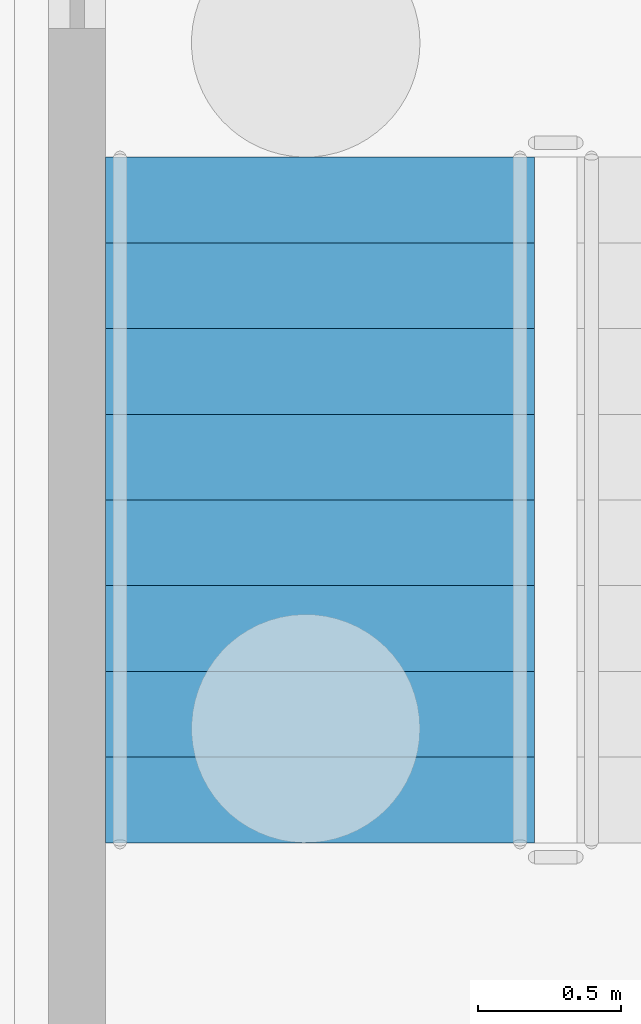
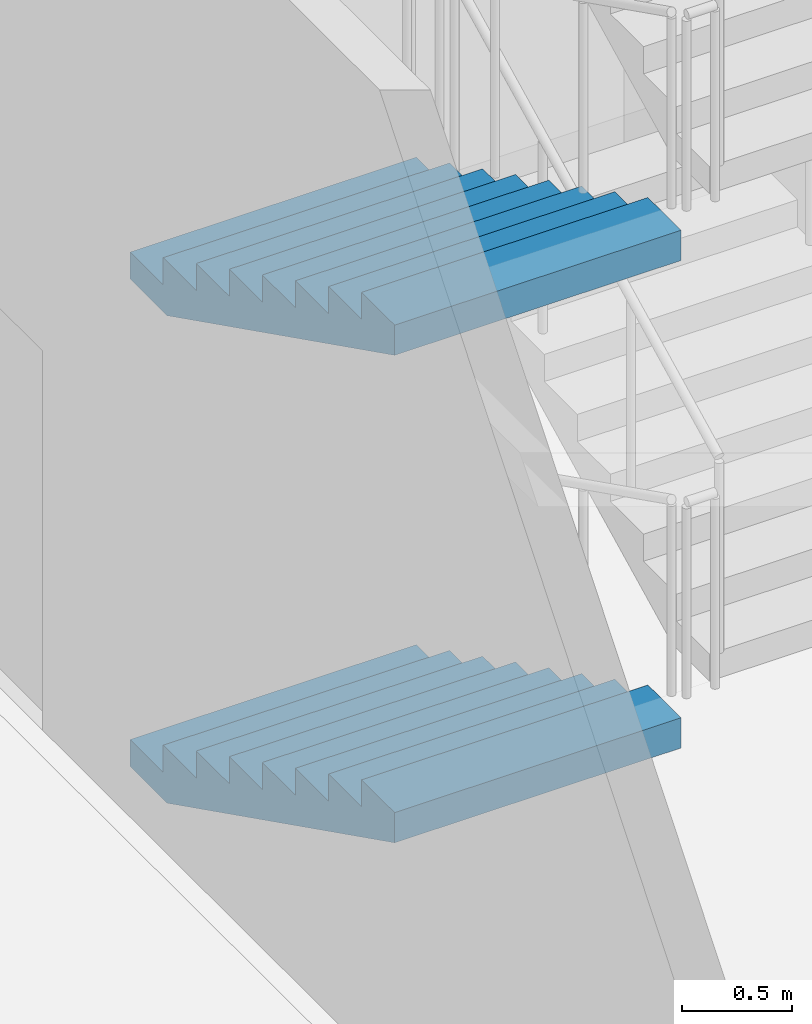
# One storey, part 96 of 129: 2 stair flights, 1 element without a shape of its own.
"""IFC4 building model written with IfcOpenShell, lengths in metres."""

from ifc_helpers import new_model, si_unit, direction, frame, origin, place, context, subcontext, project, spatial, faceted_brep, material, type_object, element, aggregate, save


model = new_model("IFC4")

# Units and contexts
model_context = context("Model", 3, precision=1e-05, world=origin(), true_north=direction((0.0, 1.0)))
body_context = subcontext(model_context, "Body", "Model", "MODEL_VIEW")
ifc_project = project(units=[si_unit("LENGTHUNIT", "METRE"), si_unit("AREAUNIT", "SQUARE_METRE"), si_unit("VOLUMEUNIT", "CUBIC_METRE"), si_unit("PLANEANGLEUNIT", "RADIAN"), si_unit("MASSUNIT", "GRAM", prefix="KILO")], contexts=[model_context])

# Site, building, storey
site_placement = place(None, origin())
site = spatial("IfcSite", under=ifc_project, at=site_placement, CompositionType="ELEMENT")
building_placement = place(site_placement, origin())
building = spatial("IfcBuilding", under=site, at=building_placement, Name="Kiln Court Media Centre", CompositionType="ELEMENT")
storey_placement = place(building_placement, origin())
storey = spatial("IfcBuildingStorey", under=building, at=storey_placement, Name="L00", CompositionType="ELEMENT", Elevation=0.0)

# Stair, stair flights
ifc_material_1 = material(Name="Concrete C40/50", Category="concrete")
stair_type = type_object("IfcStairType", Name="Concrete C40/50 dog-leg stair 1500 wide, 150 riser", PredefinedType="HALF_TURN_STAIR", material=ifc_material_1)
stair_placement = place(storey_placement, origin())
stair = element("IfcStair", 1, at=stair_placement, inside=storey, type_object=stair_type, Name="ST-17 L00", PredefinedType="HALF_TURN_STAIR")
ifc_material_2 = material(Name="Concrete C40/50", Category="concrete")
stair_flight_type = type_object("IfcStairFlightType", Name="Concrete C40/50 stair flight 1500 wide, 150 riser, 300 going", PredefinedType="STRAIGHT", material=ifc_material_2)
stair_flight_1_placement = place(storey_placement, frame((164.75, 22.89990234375, 0.0), z_axis=(0.0, 0.0, 1.0), x_axis=(0.0, -1.0, 0.0)))
stair_flight_1 = element("IfcStairFlight", 2, at=stair_flight_1_placement, type_object=stair_flight_type, Name="L00-ST-5016 flight 5064", NumberOfRisers=9, NumberOfTreads=8, PredefinedType="STRAIGHT", RiserHeight=0.15, TreadLength=0.3, context=body_context, shape_type="Brep", body=[
    faceted_brep([(0.335205078125, -0.75, 0.0), (2.39990234375, -0.75, 1.032470703125), (2.39990234375, -0.75, 1.199951171875), (2.10009765625, -0.75, 1.199951171875), (2.10009765625, -0.75, 1.050048828125), (1.800048828125, -0.75, 1.050048828125), (1.800048828125, -0.75, 0.89990234375), (1.5, -0.75, 0.89990234375), (1.5, -0.75, 0.75), (1.199951171875, -0.75, 0.75), (1.199951171875, -0.75, 0.60009765625), (0.89990234375, -0.75, 0.60009765625), (0.89990234375, -0.75, 0.449951171875), (0.60009765625, -0.75, 0.449951171875), (0.60009765625, -0.75, 0.300048828125), (0.300048828125, -0.75, 0.300048828125), (0.300048828125, -0.75, 0.14990234375), (0.0, -0.75, 0.14990234375), (0.0, -0.75, 0.0), (0.0, 0.75, 0.0), (0.0, 0.75, 0.14990234375), (0.300048828125, 0.75, 0.14990234375), (0.300048828125, 0.75, 0.300048828125), (0.60009765625, 0.75, 0.300048828125), (0.60009765625, 0.75, 0.449951171875), (0.89990234375, 0.75, 0.449951171875), (0.89990234375, 0.75, 0.60009765625), (1.199951171875, 0.75, 0.60009765625), (1.199951171875, 0.75, 0.75), (1.5, 0.75, 0.75), (1.5, 0.75, 0.89990234375), (1.800048828125, 0.75, 0.89990234375), (1.800048828125, 0.75, 1.050048828125), (2.10009765625, 0.75, 1.050048828125), (2.10009765625, 0.75, 1.199951171875), (2.39990234375, 0.75, 1.199951171875), (2.39990234375, 0.75, 1.032470703125), (0.335205078125, 0.75, 0.0), (2.39990234375, 0.10009765625, 1.032470703125), (0.335205078125, 0.10009765625, 0.0), (2.39990234375, 0.080078125, 1.032470703125), (0.335205078125, 0.080078125, 0.0), (2.39990234375, 0.06005859375, 1.032470703125), (0.335205078125, 0.06005859375, 0.0), (2.39990234375, 0.0400390625, 1.032470703125), (0.335205078125, 0.0400390625, 0.0), (2.39990234375, 0.02001953125, 1.032470703125), (0.335205078125, 0.02001953125, 0.0), (2.39990234375, 0.0, 1.032470703125), (0.335205078125, 0.0, 0.0), (2.39990234375, -0.02001953125, 1.032470703125), (0.335205078125, -0.02001953125, 0.0), (2.39990234375, -0.0400390625, 1.032470703125), (0.335205078125, -0.0400390625, 0.0), (2.39990234375, -0.06005859375, 1.032470703125), (0.335205078125, -0.06005859375, 0.0), (2.39990234375, -0.080078125, 1.032470703125), (0.335205078125, -0.080078125, 0.0), (2.39990234375, -0.10009765625, 1.032470703125), (0.335205078125, -0.10009765625, 0.0), (2.39990234375, 0.10009765625, 1.199951171875), (2.39990234375, 0.080078125, 1.199951171875), (2.39990234375, 0.06005859375, 1.199951171875), (2.39990234375, 0.0400390625, 1.199951171875), (2.39990234375, 0.02001953125, 1.199951171875), (2.39990234375, 0.0, 1.199951171875), (2.39990234375, -0.02001953125, 1.199951171875), (2.39990234375, -0.0400390625, 1.199951171875), (2.39990234375, -0.06005859375, 1.199951171875), (2.39990234375, -0.080078125, 1.199951171875), (2.39990234375, -0.10009765625, 1.199951171875), (2.10009765625, 0.10009765625, 1.199951171875), (2.10009765625, 0.080078125, 1.199951171875), (2.10009765625, 0.06005859375, 1.199951171875), (2.10009765625, 0.0400390625, 1.199951171875), (2.10009765625, 0.02001953125, 1.199951171875), (2.10009765625, 0.0, 1.199951171875), (2.10009765625, -0.02001953125, 1.199951171875), (2.10009765625, -0.0400390625, 1.199951171875), (2.10009765625, -0.06005859375, 1.199951171875), (2.10009765625, -0.080078125, 1.199951171875), (2.10009765625, -0.10009765625, 1.199951171875), (2.10009765625, 0.10009765625, 1.050048828125), (2.10009765625, 0.080078125, 1.050048828125), (2.10009765625, 0.06005859375, 1.050048828125), (2.10009765625, 0.0400390625, 1.050048828125), (2.10009765625, 0.02001953125, 1.050048828125), (2.10009765625, 0.0, 1.050048828125), (2.10009765625, -0.02001953125, 1.050048828125), (2.10009765625, -0.0400390625, 1.050048828125), (2.10009765625, -0.06005859375, 1.050048828125), (2.10009765625, -0.080078125, 1.050048828125), (2.10009765625, -0.10009765625, 1.050048828125), (1.800048828125, 0.10009765625, 1.050048828125), (1.800048828125, 0.080078125, 1.050048828125), (1.800048828125, 0.06005859375, 1.050048828125), (1.800048828125, 0.0400390625, 1.050048828125), (1.800048828125, 0.02001953125, 1.050048828125), (1.800048828125, 0.0, 1.050048828125), (1.800048828125, -0.02001953125, 1.050048828125), (1.800048828125, -0.0400390625, 1.050048828125), (1.800048828125, -0.06005859375, 1.050048828125), (1.800048828125, -0.080078125, 1.050048828125), (1.800048828125, -0.10009765625, 1.050048828125), (1.800048828125, 0.10009765625, 0.89990234375), (1.800048828125, 0.080078125, 0.89990234375), (1.800048828125, 0.06005859375, 0.89990234375), (1.800048828125, 0.0400390625, 0.89990234375), (1.800048828125, 0.02001953125, 0.89990234375), (1.800048828125, 0.0, 0.89990234375), (1.800048828125, -0.02001953125, 0.89990234375), (1.800048828125, -0.0400390625, 0.89990234375), (1.800048828125, -0.06005859375, 0.89990234375), (1.800048828125, -0.080078125, 0.89990234375), (1.800048828125, -0.10009765625, 0.89990234375), (1.5, 0.10009765625, 0.89990234375), (1.5, 0.080078125, 0.89990234375), (1.5, 0.06005859375, 0.89990234375), (1.5, 0.0400390625, 0.89990234375), (1.5, 0.02001953125, 0.89990234375), (1.5, 0.0, 0.89990234375), (1.5, -0.02001953125, 0.89990234375), (1.5, -0.0400390625, 0.89990234375), (1.5, -0.06005859375, 0.89990234375), (1.5, -0.080078125, 0.89990234375), (1.5, -0.10009765625, 0.89990234375), (1.5, 0.10009765625, 0.75), (1.5, 0.080078125, 0.75), (1.5, 0.06005859375, 0.75), (1.5, 0.0400390625, 0.75), (1.5, 0.02001953125, 0.75), (1.5, 0.0, 0.75), (1.5, -0.02001953125, 0.75), (1.5, -0.0400390625, 0.75), (1.5, -0.06005859375, 0.75), (1.5, -0.080078125, 0.75), (1.5, -0.10009765625, 0.75), (1.199951171875, 0.10009765625, 0.75), (1.199951171875, 0.080078125, 0.75), (1.199951171875, 0.06005859375, 0.75), (1.199951171875, 0.0400390625, 0.75), (1.199951171875, 0.02001953125, 0.75), (1.199951171875, 0.0, 0.75), (1.199951171875, -0.02001953125, 0.75), (1.199951171875, -0.0400390625, 0.75), (1.199951171875, -0.06005859375, 0.75), (1.199951171875, -0.080078125, 0.75), (1.199951171875, -0.10009765625, 0.75), (1.199951171875, 0.10009765625, 0.60009765625), (1.199951171875, 0.080078125, 0.60009765625), (1.199951171875, 0.06005859375, 0.60009765625), (1.199951171875, 0.0400390625, 0.60009765625), (1.199951171875, 0.02001953125, 0.60009765625), (1.199951171875, 0.0, 0.60009765625), (1.199951171875, -0.02001953125, 0.60009765625), (1.199951171875, -0.0400390625, 0.60009765625), (1.199951171875, -0.06005859375, 0.60009765625), (1.199951171875, -0.080078125, 0.60009765625), (1.199951171875, -0.10009765625, 0.60009765625), (0.89990234375, 0.10009765625, 0.60009765625), (0.89990234375, 0.080078125, 0.60009765625), (0.89990234375, 0.06005859375, 0.60009765625), (0.89990234375, 0.0400390625, 0.60009765625), (0.89990234375, 0.02001953125, 0.60009765625), (0.89990234375, 0.0, 0.60009765625), (0.89990234375, -0.02001953125, 0.60009765625), (0.89990234375, -0.0400390625, 0.60009765625), (0.89990234375, -0.06005859375, 0.60009765625), (0.89990234375, -0.080078125, 0.60009765625), (0.89990234375, -0.10009765625, 0.60009765625), (0.89990234375, 0.10009765625, 0.449951171875), (0.89990234375, 0.080078125, 0.449951171875), (0.89990234375, 0.06005859375, 0.449951171875), (0.89990234375, 0.0400390625, 0.449951171875), (0.89990234375, 0.02001953125, 0.449951171875), (0.89990234375, 0.0, 0.449951171875), (0.89990234375, -0.02001953125, 0.449951171875), (0.89990234375, -0.0400390625, 0.449951171875), (0.89990234375, -0.06005859375, 0.449951171875), (0.89990234375, -0.080078125, 0.449951171875), (0.89990234375, -0.10009765625, 0.449951171875), (0.60009765625, 0.10009765625, 0.449951171875), (0.60009765625, 0.080078125, 0.449951171875), (0.60009765625, 0.06005859375, 0.449951171875), (0.60009765625, 0.0400390625, 0.449951171875), (0.60009765625, 0.02001953125, 0.449951171875), (0.60009765625, 0.0, 0.449951171875), (0.60009765625, -0.02001953125, 0.449951171875), (0.60009765625, -0.0400390625, 0.449951171875), (0.60009765625, -0.06005859375, 0.449951171875), (0.60009765625, -0.080078125, 0.449951171875), (0.60009765625, -0.10009765625, 0.449951171875), (0.60009765625, 0.10009765625, 0.300048828125), (0.60009765625, 0.080078125, 0.300048828125), (0.60009765625, 0.06005859375, 0.300048828125), (0.60009765625, 0.0400390625, 0.300048828125), (0.60009765625, 0.02001953125, 0.300048828125), (0.60009765625, 0.0, 0.300048828125), (0.60009765625, -0.02001953125, 0.300048828125), (0.60009765625, -0.0400390625, 0.300048828125), (0.60009765625, -0.06005859375, 0.300048828125), (0.60009765625, -0.080078125, 0.300048828125), (0.60009765625, -0.10009765625, 0.300048828125), (0.300048828125, 0.10009765625, 0.300048828125), (0.300048828125, 0.080078125, 0.300048828125), (0.300048828125, 0.06005859375, 0.300048828125), (0.300048828125, 0.0400390625, 0.300048828125), (0.300048828125, 0.02001953125, 0.300048828125), (0.300048828125, 0.0, 0.300048828125), (0.300048828125, -0.02001953125, 0.300048828125), (0.300048828125, -0.0400390625, 0.300048828125), (0.300048828125, -0.06005859375, 0.300048828125), (0.300048828125, -0.080078125, 0.300048828125), (0.300048828125, -0.10009765625, 0.300048828125), (0.300048828125, 0.10009765625, 0.14990234375), (0.300048828125, 0.080078125, 0.14990234375), (0.300048828125, 0.06005859375, 0.14990234375), (0.300048828125, 0.0400390625, 0.14990234375), (0.300048828125, 0.02001953125, 0.14990234375), (0.300048828125, 0.0, 0.14990234375), (0.300048828125, -0.02001953125, 0.14990234375), (0.300048828125, -0.0400390625, 0.14990234375), (0.300048828125, -0.06005859375, 0.14990234375), (0.300048828125, -0.080078125, 0.14990234375), (0.300048828125, -0.10009765625, 0.14990234375), (0.0, 0.10009765625, 0.14990234375), (0.0, 0.080078125, 0.14990234375), (0.0, 0.06005859375, 0.14990234375), (0.0, 0.0400390625, 0.14990234375), (0.0, 0.02001953125, 0.14990234375), (0.0, 0.0, 0.14990234375), (0.0, -0.02001953125, 0.14990234375), (0.0, -0.0400390625, 0.14990234375), (0.0, -0.06005859375, 0.14990234375), (0.0, -0.080078125, 0.14990234375), (0.0, -0.10009765625, 0.14990234375), (0.0, 0.10009765625, 0.0), (0.0, 0.080078125, 0.0), (0.0, 0.06005859375, 0.0), (0.0, 0.0400390625, 0.0), (0.0, 0.02001953125, 0.0), (0.0, 0.0, 0.0), (0.0, -0.02001953125, 0.0), (0.0, -0.0400390625, 0.0), (0.0, -0.06005859375, 0.0), (0.0, -0.080078125, 0.0), (0.0, -0.10009765625, 0.0)], [[[0, 1, 2, 3, 4, 5, 6, 7, 8, 9, 10, 11, 12, 13, 14, 15, 16, 17, 18]], [[19, 20, 21, 22, 23, 24, 25, 26, 27, 28, 29, 30, 31, 32, 33, 34, 35, 36, 37]], [[37, 36, 38, 39]], [[39, 38, 40, 41]], [[41, 40, 42, 43]], [[43, 42, 44, 45]], [[45, 44, 46, 47]], [[47, 46, 48, 49]], [[49, 48, 50, 51]], [[51, 50, 52, 53]], [[53, 52, 54, 55]], [[55, 54, 56, 57]], [[57, 56, 58, 59]], [[59, 58, 1, 0]], [[36, 35, 60, 38]], [[38, 60, 61, 40]], [[40, 61, 62, 42]], [[42, 62, 63, 44]], [[44, 63, 64, 46]], [[46, 64, 65, 48]], [[48, 65, 66, 50]], [[50, 66, 67, 52]], [[52, 67, 68, 54]], [[54, 68, 69, 56]], [[56, 69, 70, 58]], [[58, 70, 2, 1]], [[35, 34, 71, 60]], [[60, 71, 72, 61]], [[61, 72, 73, 62]], [[62, 73, 74, 63]], [[63, 74, 75, 64]], [[64, 75, 76, 65]], [[65, 76, 77, 66]], [[66, 77, 78, 67]], [[67, 78, 79, 68]], [[68, 79, 80, 69]], [[69, 80, 81, 70]], [[70, 81, 3, 2]], [[34, 33, 82, 71]], [[71, 82, 83, 72]], [[72, 83, 84, 73]], [[73, 84, 85, 74]], [[74, 85, 86, 75]], [[75, 86, 87, 76]], [[76, 87, 88, 77]], [[77, 88, 89, 78]], [[78, 89, 90, 79]], [[79, 90, 91, 80]], [[80, 91, 92, 81]], [[81, 92, 4, 3]], [[33, 32, 93, 82]], [[82, 93, 94, 83]], [[83, 94, 95, 84]], [[84, 95, 96, 85]], [[85, 96, 97, 86]], [[86, 97, 98, 87]], [[87, 98, 99, 88]], [[88, 99, 100, 89]], [[89, 100, 101, 90]], [[90, 101, 102, 91]], [[91, 102, 103, 92]], [[92, 103, 5, 4]], [[32, 31, 104, 93]], [[93, 104, 105, 94]], [[94, 105, 106, 95]], [[95, 106, 107, 96]], [[96, 107, 108, 97]], [[97, 108, 109, 98]], [[98, 109, 110, 99]], [[99, 110, 111, 100]], [[100, 111, 112, 101]], [[101, 112, 113, 102]], [[102, 113, 114, 103]], [[103, 114, 6, 5]], [[31, 30, 115, 104]], [[104, 115, 116, 105]], [[105, 116, 117, 106]], [[106, 117, 118, 107]], [[107, 118, 119, 108]], [[108, 119, 120, 109]], [[109, 120, 121, 110]], [[110, 121, 122, 111]], [[111, 122, 123, 112]], [[112, 123, 124, 113]], [[113, 124, 125, 114]], [[114, 125, 7, 6]], [[30, 29, 126, 115]], [[115, 126, 127, 116]], [[116, 127, 128, 117]], [[117, 128, 129, 118]], [[118, 129, 130, 119]], [[119, 130, 131, 120]], [[120, 131, 132, 121]], [[121, 132, 133, 122]], [[122, 133, 134, 123]], [[123, 134, 135, 124]], [[124, 135, 136, 125]], [[125, 136, 8, 7]], [[29, 28, 137, 126]], [[126, 137, 138, 127]], [[127, 138, 139, 128]], [[128, 139, 140, 129]], [[129, 140, 141, 130]], [[130, 141, 142, 131]], [[131, 142, 143, 132]], [[132, 143, 144, 133]], [[133, 144, 145, 134]], [[134, 145, 146, 135]], [[135, 146, 147, 136]], [[136, 147, 9, 8]], [[28, 27, 148, 137]], [[137, 148, 149, 138]], [[138, 149, 150, 139]], [[139, 150, 151, 140]], [[140, 151, 152, 141]], [[141, 152, 153, 142]], [[142, 153, 154, 143]], [[143, 154, 155, 144]], [[144, 155, 156, 145]], [[145, 156, 157, 146]], [[146, 157, 158, 147]], [[147, 158, 10, 9]], [[27, 26, 159, 148]], [[148, 159, 160, 149]], [[149, 160, 161, 150]], [[150, 161, 162, 151]], [[151, 162, 163, 152]], [[152, 163, 164, 153]], [[153, 164, 165, 154]], [[154, 165, 166, 155]], [[155, 166, 167, 156]], [[156, 167, 168, 157]], [[157, 168, 169, 158]], [[158, 169, 11, 10]], [[26, 25, 170, 159]], [[159, 170, 171, 160]], [[160, 171, 172, 161]], [[161, 172, 173, 162]], [[162, 173, 174, 163]], [[163, 174, 175, 164]], [[164, 175, 176, 165]], [[165, 176, 177, 166]], [[166, 177, 178, 167]], [[167, 178, 179, 168]], [[168, 179, 180, 169]], [[169, 180, 12, 11]], [[25, 24, 181, 170]], [[170, 181, 182, 171]], [[171, 182, 183, 172]], [[172, 183, 184, 173]], [[173, 184, 185, 174]], [[174, 185, 186, 175]], [[175, 186, 187, 176]], [[176, 187, 188, 177]], [[177, 188, 189, 178]], [[178, 189, 190, 179]], [[179, 190, 191, 180]], [[180, 191, 13, 12]], [[24, 23, 192, 181]], [[181, 192, 193, 182]], [[182, 193, 194, 183]], [[183, 194, 195, 184]], [[184, 195, 196, 185]], [[185, 196, 197, 186]], [[186, 197, 198, 187]], [[187, 198, 199, 188]], [[188, 199, 200, 189]], [[189, 200, 201, 190]], [[190, 201, 202, 191]], [[191, 202, 14, 13]], [[23, 22, 203, 192]], [[192, 203, 204, 193]], [[193, 204, 205, 194]], [[194, 205, 206, 195]], [[195, 206, 207, 196]], [[196, 207, 208, 197]], [[197, 208, 209, 198]], [[198, 209, 210, 199]], [[199, 210, 211, 200]], [[200, 211, 212, 201]], [[201, 212, 213, 202]], [[202, 213, 15, 14]], [[22, 21, 214, 203]], [[203, 214, 215, 204]], [[204, 215, 216, 205]], [[205, 216, 217, 206]], [[206, 217, 218, 207]], [[207, 218, 219, 208]], [[208, 219, 220, 209]], [[209, 220, 221, 210]], [[210, 221, 222, 211]], [[211, 222, 223, 212]], [[212, 223, 224, 213]], [[213, 224, 16, 15]], [[21, 20, 225, 214]], [[214, 225, 226, 215]], [[215, 226, 227, 216]], [[216, 227, 228, 217]], [[217, 228, 229, 218]], [[218, 229, 230, 219]], [[219, 230, 231, 220]], [[220, 231, 232, 221]], [[221, 232, 233, 222]], [[222, 233, 234, 223]], [[223, 234, 235, 224]], [[224, 235, 17, 16]], [[20, 19, 236, 225]], [[225, 236, 237, 226]], [[226, 237, 238, 227]], [[227, 238, 239, 228]], [[228, 239, 240, 229]], [[229, 240, 241, 230]], [[230, 241, 242, 231]], [[231, 242, 243, 232]], [[232, 243, 244, 233]], [[233, 244, 245, 234]], [[234, 245, 246, 235]], [[235, 246, 18, 17]], [[19, 37, 39, 236]], [[236, 39, 41, 237]], [[237, 41, 43, 238]], [[238, 43, 45, 239]], [[239, 45, 47, 240]], [[240, 47, 49, 241]], [[241, 49, 51, 242]], [[242, 51, 53, 243]], [[243, 53, 55, 244]], [[244, 55, 57, 245]], [[245, 57, 59, 246]], [[246, 59, 0, 18]]]),
])
stair_flight_2_placement = place(storey_placement, frame((164.75, 22.89990234375, 2.699951171875), z_axis=(0.0, 0.0, 1.0), x_axis=(0.0, -1.0, 0.0)))
stair_flight_2 = element("IfcStairFlight", 3, at=stair_flight_2_placement, type_object=stair_flight_type, Name="L00-ST-5016 flight 5066", NumberOfRisers=9, NumberOfTreads=8, PredefinedType="STRAIGHT", RiserHeight=0.15, TreadLength=0.3, context=body_context, shape_type="Brep", body=[
    faceted_brep([(0.335205078125, -0.75, 0.0), (2.39990234375, -0.75, 1.032470703125), (2.39990234375, -0.75, 1.199951171875), (2.10009765625, -0.75, 1.199951171875), (2.10009765625, -0.75, 1.050048828125), (1.800048828125, -0.75, 1.050048828125), (1.800048828125, -0.75, 0.89990234375), (1.5, -0.75, 0.89990234375), (1.5, -0.75, 0.75), (1.199951171875, -0.75, 0.75), (1.199951171875, -0.75, 0.60009765625), (0.89990234375, -0.75, 0.60009765625), (0.89990234375, -0.75, 0.449951171875), (0.60009765625, -0.75, 0.449951171875), (0.60009765625, -0.75, 0.300048828125), (0.300048828125, -0.75, 0.300048828125), (0.300048828125, -0.75, 0.14990234375), (0.0, -0.75, 0.14990234375), (0.0, -0.75, 0.0), (0.0, 0.75, 0.0), (0.0, 0.75, 0.14990234375), (0.300048828125, 0.75, 0.14990234375), (0.300048828125, 0.75, 0.300048828125), (0.60009765625, 0.75, 0.300048828125), (0.60009765625, 0.75, 0.449951171875), (0.89990234375, 0.75, 0.449951171875), (0.89990234375, 0.75, 0.60009765625), (1.199951171875, 0.75, 0.60009765625), (1.199951171875, 0.75, 0.75), (1.5, 0.75, 0.75), (1.5, 0.75, 0.89990234375), (1.800048828125, 0.75, 0.89990234375), (1.800048828125, 0.75, 1.050048828125), (2.10009765625, 0.75, 1.050048828125), (2.10009765625, 0.75, 1.199951171875), (2.39990234375, 0.75, 1.199951171875), (2.39990234375, 0.75, 1.032470703125), (0.335205078125, 0.75, 0.0), (2.39990234375, 0.10009765625, 1.032470703125), (0.335205078125, 0.10009765625, 0.0), (2.39990234375, 0.080078125, 1.032470703125), (0.335205078125, 0.080078125, 0.0), (2.39990234375, 0.06005859375, 1.032470703125), (0.335205078125, 0.06005859375, 0.0), (2.39990234375, 0.0400390625, 1.032470703125), (0.335205078125, 0.0400390625, 0.0), (2.39990234375, 0.02001953125, 1.032470703125), (0.335205078125, 0.02001953125, 0.0), (2.39990234375, 0.0, 1.032470703125), (0.335205078125, 0.0, 0.0), (2.39990234375, -0.02001953125, 1.032470703125), (0.335205078125, -0.02001953125, 0.0), (2.39990234375, -0.0400390625, 1.032470703125), (0.335205078125, -0.0400390625, 0.0), (2.39990234375, -0.06005859375, 1.032470703125), (0.335205078125, -0.06005859375, 0.0), (2.39990234375, -0.080078125, 1.032470703125), (0.335205078125, -0.080078125, 0.0), (2.39990234375, -0.10009765625, 1.032470703125), (0.335205078125, -0.10009765625, 0.0), (2.39990234375, 0.10009765625, 1.199951171875), (2.39990234375, 0.080078125, 1.199951171875), (2.39990234375, 0.06005859375, 1.199951171875), (2.39990234375, 0.0400390625, 1.199951171875), (2.39990234375, 0.02001953125, 1.199951171875), (2.39990234375, 0.0, 1.199951171875), (2.39990234375, -0.02001953125, 1.199951171875), (2.39990234375, -0.0400390625, 1.199951171875), (2.39990234375, -0.06005859375, 1.199951171875), (2.39990234375, -0.080078125, 1.199951171875), (2.39990234375, -0.10009765625, 1.199951171875), (2.10009765625, 0.10009765625, 1.199951171875), (2.10009765625, 0.080078125, 1.199951171875), (2.10009765625, 0.06005859375, 1.199951171875), (2.10009765625, 0.0400390625, 1.199951171875), (2.10009765625, 0.02001953125, 1.199951171875), (2.10009765625, 0.0, 1.199951171875), (2.10009765625, -0.02001953125, 1.199951171875), (2.10009765625, -0.0400390625, 1.199951171875), (2.10009765625, -0.06005859375, 1.199951171875), (2.10009765625, -0.080078125, 1.199951171875), (2.10009765625, -0.10009765625, 1.199951171875), (2.10009765625, 0.10009765625, 1.050048828125), (2.10009765625, 0.080078125, 1.050048828125), (2.10009765625, 0.06005859375, 1.050048828125), (2.10009765625, 0.0400390625, 1.050048828125), (2.10009765625, 0.02001953125, 1.050048828125), (2.10009765625, 0.0, 1.050048828125), (2.10009765625, -0.02001953125, 1.050048828125), (2.10009765625, -0.0400390625, 1.050048828125), (2.10009765625, -0.06005859375, 1.050048828125), (2.10009765625, -0.080078125, 1.050048828125), (2.10009765625, -0.10009765625, 1.050048828125), (1.800048828125, 0.10009765625, 1.050048828125), (1.800048828125, 0.080078125, 1.050048828125), (1.800048828125, 0.06005859375, 1.050048828125), (1.800048828125, 0.0400390625, 1.050048828125), (1.800048828125, 0.02001953125, 1.050048828125), (1.800048828125, 0.0, 1.050048828125), (1.800048828125, -0.02001953125, 1.050048828125), (1.800048828125, -0.0400390625, 1.050048828125), (1.800048828125, -0.06005859375, 1.050048828125), (1.800048828125, -0.080078125, 1.050048828125), (1.800048828125, -0.10009765625, 1.050048828125), (1.800048828125, 0.10009765625, 0.89990234375), (1.800048828125, 0.080078125, 0.89990234375), (1.800048828125, 0.06005859375, 0.89990234375), (1.800048828125, 0.0400390625, 0.89990234375), (1.800048828125, 0.02001953125, 0.89990234375), (1.800048828125, 0.0, 0.89990234375), (1.800048828125, -0.02001953125, 0.89990234375), (1.800048828125, -0.0400390625, 0.89990234375), (1.800048828125, -0.06005859375, 0.89990234375), (1.800048828125, -0.080078125, 0.89990234375), (1.800048828125, -0.10009765625, 0.89990234375), (1.5, 0.10009765625, 0.89990234375), (1.5, 0.080078125, 0.89990234375), (1.5, 0.06005859375, 0.89990234375), (1.5, 0.0400390625, 0.89990234375), (1.5, 0.02001953125, 0.89990234375), (1.5, 0.0, 0.89990234375), (1.5, -0.02001953125, 0.89990234375), (1.5, -0.0400390625, 0.89990234375), (1.5, -0.06005859375, 0.89990234375), (1.5, -0.080078125, 0.89990234375), (1.5, -0.10009765625, 0.89990234375), (1.5, 0.10009765625, 0.75), (1.5, 0.080078125, 0.75), (1.5, 0.06005859375, 0.75), (1.5, 0.0400390625, 0.75), (1.5, 0.02001953125, 0.75), (1.5, 0.0, 0.75), (1.5, -0.02001953125, 0.75), (1.5, -0.0400390625, 0.75), (1.5, -0.06005859375, 0.75), (1.5, -0.080078125, 0.75), (1.5, -0.10009765625, 0.75), (1.199951171875, 0.10009765625, 0.75), (1.199951171875, 0.080078125, 0.75), (1.199951171875, 0.06005859375, 0.75), (1.199951171875, 0.0400390625, 0.75), (1.199951171875, 0.02001953125, 0.75), (1.199951171875, 0.0, 0.75), (1.199951171875, -0.02001953125, 0.75), (1.199951171875, -0.0400390625, 0.75), (1.199951171875, -0.06005859375, 0.75), (1.199951171875, -0.080078125, 0.75), (1.199951171875, -0.10009765625, 0.75), (1.199951171875, 0.10009765625, 0.60009765625), (1.199951171875, 0.080078125, 0.60009765625), (1.199951171875, 0.06005859375, 0.60009765625), (1.199951171875, 0.0400390625, 0.60009765625), (1.199951171875, 0.02001953125, 0.60009765625), (1.199951171875, 0.0, 0.60009765625), (1.199951171875, -0.02001953125, 0.60009765625), (1.199951171875, -0.0400390625, 0.60009765625), (1.199951171875, -0.06005859375, 0.60009765625), (1.199951171875, -0.080078125, 0.60009765625), (1.199951171875, -0.10009765625, 0.60009765625), (0.89990234375, 0.10009765625, 0.60009765625), (0.89990234375, 0.080078125, 0.60009765625), (0.89990234375, 0.06005859375, 0.60009765625), (0.89990234375, 0.0400390625, 0.60009765625), (0.89990234375, 0.02001953125, 0.60009765625), (0.89990234375, 0.0, 0.60009765625), (0.89990234375, -0.02001953125, 0.60009765625), (0.89990234375, -0.0400390625, 0.60009765625), (0.89990234375, -0.06005859375, 0.60009765625), (0.89990234375, -0.080078125, 0.60009765625), (0.89990234375, -0.10009765625, 0.60009765625), (0.89990234375, 0.10009765625, 0.449951171875), (0.89990234375, 0.080078125, 0.449951171875), (0.89990234375, 0.06005859375, 0.449951171875), (0.89990234375, 0.0400390625, 0.449951171875), (0.89990234375, 0.02001953125, 0.449951171875), (0.89990234375, 0.0, 0.449951171875), (0.89990234375, -0.02001953125, 0.449951171875), (0.89990234375, -0.0400390625, 0.449951171875), (0.89990234375, -0.06005859375, 0.449951171875), (0.89990234375, -0.080078125, 0.449951171875), (0.89990234375, -0.10009765625, 0.449951171875), (0.60009765625, 0.10009765625, 0.449951171875), (0.60009765625, 0.080078125, 0.449951171875), (0.60009765625, 0.06005859375, 0.449951171875), (0.60009765625, 0.0400390625, 0.449951171875), (0.60009765625, 0.02001953125, 0.449951171875), (0.60009765625, 0.0, 0.449951171875), (0.60009765625, -0.02001953125, 0.449951171875), (0.60009765625, -0.0400390625, 0.449951171875), (0.60009765625, -0.06005859375, 0.449951171875), (0.60009765625, -0.080078125, 0.449951171875), (0.60009765625, -0.10009765625, 0.449951171875), (0.60009765625, 0.10009765625, 0.300048828125), (0.60009765625, 0.080078125, 0.300048828125), (0.60009765625, 0.06005859375, 0.300048828125), (0.60009765625, 0.0400390625, 0.300048828125), (0.60009765625, 0.02001953125, 0.300048828125), (0.60009765625, 0.0, 0.300048828125), (0.60009765625, -0.02001953125, 0.300048828125), (0.60009765625, -0.0400390625, 0.300048828125), (0.60009765625, -0.06005859375, 0.300048828125), (0.60009765625, -0.080078125, 0.300048828125), (0.60009765625, -0.10009765625, 0.300048828125), (0.300048828125, 0.10009765625, 0.300048828125), (0.300048828125, 0.080078125, 0.300048828125), (0.300048828125, 0.06005859375, 0.300048828125), (0.300048828125, 0.0400390625, 0.300048828125), (0.300048828125, 0.02001953125, 0.300048828125), (0.300048828125, 0.0, 0.300048828125), (0.300048828125, -0.02001953125, 0.300048828125), (0.300048828125, -0.0400390625, 0.300048828125), (0.300048828125, -0.06005859375, 0.300048828125), (0.300048828125, -0.080078125, 0.300048828125), (0.300048828125, -0.10009765625, 0.300048828125), (0.300048828125, 0.10009765625, 0.14990234375), (0.300048828125, 0.080078125, 0.14990234375), (0.300048828125, 0.06005859375, 0.14990234375), (0.300048828125, 0.0400390625, 0.14990234375), (0.300048828125, 0.02001953125, 0.14990234375), (0.300048828125, 0.0, 0.14990234375), (0.300048828125, -0.02001953125, 0.14990234375), (0.300048828125, -0.0400390625, 0.14990234375), (0.300048828125, -0.06005859375, 0.14990234375), (0.300048828125, -0.080078125, 0.14990234375), (0.300048828125, -0.10009765625, 0.14990234375), (0.0, 0.10009765625, 0.14990234375), (0.0, 0.080078125, 0.14990234375), (0.0, 0.06005859375, 0.14990234375), (0.0, 0.0400390625, 0.14990234375), (0.0, 0.02001953125, 0.14990234375), (0.0, 0.0, 0.14990234375), (0.0, -0.02001953125, 0.14990234375), (0.0, -0.0400390625, 0.14990234375), (0.0, -0.06005859375, 0.14990234375), (0.0, -0.080078125, 0.14990234375), (0.0, -0.10009765625, 0.14990234375), (0.0, 0.10009765625, 0.0), (0.0, 0.080078125, 0.0), (0.0, 0.06005859375, 0.0), (0.0, 0.0400390625, 0.0), (0.0, 0.02001953125, 0.0), (0.0, 0.0, 0.0), (0.0, -0.02001953125, 0.0), (0.0, -0.0400390625, 0.0), (0.0, -0.06005859375, 0.0), (0.0, -0.080078125, 0.0), (0.0, -0.10009765625, 0.0)], [[[0, 1, 2, 3, 4, 5, 6, 7, 8, 9, 10, 11, 12, 13, 14, 15, 16, 17, 18]], [[19, 20, 21, 22, 23, 24, 25, 26, 27, 28, 29, 30, 31, 32, 33, 34, 35, 36, 37]], [[37, 36, 38, 39]], [[39, 38, 40, 41]], [[41, 40, 42, 43]], [[43, 42, 44, 45]], [[45, 44, 46, 47]], [[47, 46, 48, 49]], [[49, 48, 50, 51]], [[51, 50, 52, 53]], [[53, 52, 54, 55]], [[55, 54, 56, 57]], [[57, 56, 58, 59]], [[59, 58, 1, 0]], [[36, 35, 60, 38]], [[38, 60, 61, 40]], [[40, 61, 62, 42]], [[42, 62, 63, 44]], [[44, 63, 64, 46]], [[46, 64, 65, 48]], [[48, 65, 66, 50]], [[50, 66, 67, 52]], [[52, 67, 68, 54]], [[54, 68, 69, 56]], [[56, 69, 70, 58]], [[58, 70, 2, 1]], [[35, 34, 71, 60]], [[60, 71, 72, 61]], [[61, 72, 73, 62]], [[62, 73, 74, 63]], [[63, 74, 75, 64]], [[64, 75, 76, 65]], [[65, 76, 77, 66]], [[66, 77, 78, 67]], [[67, 78, 79, 68]], [[68, 79, 80, 69]], [[69, 80, 81, 70]], [[70, 81, 3, 2]], [[34, 33, 82, 71]], [[71, 82, 83, 72]], [[72, 83, 84, 73]], [[73, 84, 85, 74]], [[74, 85, 86, 75]], [[75, 86, 87, 76]], [[76, 87, 88, 77]], [[77, 88, 89, 78]], [[78, 89, 90, 79]], [[79, 90, 91, 80]], [[80, 91, 92, 81]], [[81, 92, 4, 3]], [[33, 32, 93, 82]], [[82, 93, 94, 83]], [[83, 94, 95, 84]], [[84, 95, 96, 85]], [[85, 96, 97, 86]], [[86, 97, 98, 87]], [[87, 98, 99, 88]], [[88, 99, 100, 89]], [[89, 100, 101, 90]], [[90, 101, 102, 91]], [[91, 102, 103, 92]], [[92, 103, 5, 4]], [[32, 31, 104, 93]], [[93, 104, 105, 94]], [[94, 105, 106, 95]], [[95, 106, 107, 96]], [[96, 107, 108, 97]], [[97, 108, 109, 98]], [[98, 109, 110, 99]], [[99, 110, 111, 100]], [[100, 111, 112, 101]], [[101, 112, 113, 102]], [[102, 113, 114, 103]], [[103, 114, 6, 5]], [[31, 30, 115, 104]], [[104, 115, 116, 105]], [[105, 116, 117, 106]], [[106, 117, 118, 107]], [[107, 118, 119, 108]], [[108, 119, 120, 109]], [[109, 120, 121, 110]], [[110, 121, 122, 111]], [[111, 122, 123, 112]], [[112, 123, 124, 113]], [[113, 124, 125, 114]], [[114, 125, 7, 6]], [[30, 29, 126, 115]], [[115, 126, 127, 116]], [[116, 127, 128, 117]], [[117, 128, 129, 118]], [[118, 129, 130, 119]], [[119, 130, 131, 120]], [[120, 131, 132, 121]], [[121, 132, 133, 122]], [[122, 133, 134, 123]], [[123, 134, 135, 124]], [[124, 135, 136, 125]], [[125, 136, 8, 7]], [[29, 28, 137, 126]], [[126, 137, 138, 127]], [[127, 138, 139, 128]], [[128, 139, 140, 129]], [[129, 140, 141, 130]], [[130, 141, 142, 131]], [[131, 142, 143, 132]], [[132, 143, 144, 133]], [[133, 144, 145, 134]], [[134, 145, 146, 135]], [[135, 146, 147, 136]], [[136, 147, 9, 8]], [[28, 27, 148, 137]], [[137, 148, 149, 138]], [[138, 149, 150, 139]], [[139, 150, 151, 140]], [[140, 151, 152, 141]], [[141, 152, 153, 142]], [[142, 153, 154, 143]], [[143, 154, 155, 144]], [[144, 155, 156, 145]], [[145, 156, 157, 146]], [[146, 157, 158, 147]], [[147, 158, 10, 9]], [[27, 26, 159, 148]], [[148, 159, 160, 149]], [[149, 160, 161, 150]], [[150, 161, 162, 151]], [[151, 162, 163, 152]], [[152, 163, 164, 153]], [[153, 164, 165, 154]], [[154, 165, 166, 155]], [[155, 166, 167, 156]], [[156, 167, 168, 157]], [[157, 168, 169, 158]], [[158, 169, 11, 10]], [[26, 25, 170, 159]], [[159, 170, 171, 160]], [[160, 171, 172, 161]], [[161, 172, 173, 162]], [[162, 173, 174, 163]], [[163, 174, 175, 164]], [[164, 175, 176, 165]], [[165, 176, 177, 166]], [[166, 177, 178, 167]], [[167, 178, 179, 168]], [[168, 179, 180, 169]], [[169, 180, 12, 11]], [[25, 24, 181, 170]], [[170, 181, 182, 171]], [[171, 182, 183, 172]], [[172, 183, 184, 173]], [[173, 184, 185, 174]], [[174, 185, 186, 175]], [[175, 186, 187, 176]], [[176, 187, 188, 177]], [[177, 188, 189, 178]], [[178, 189, 190, 179]], [[179, 190, 191, 180]], [[180, 191, 13, 12]], [[24, 23, 192, 181]], [[181, 192, 193, 182]], [[182, 193, 194, 183]], [[183, 194, 195, 184]], [[184, 195, 196, 185]], [[185, 196, 197, 186]], [[186, 197, 198, 187]], [[187, 198, 199, 188]], [[188, 199, 200, 189]], [[189, 200, 201, 190]], [[190, 201, 202, 191]], [[191, 202, 14, 13]], [[23, 22, 203, 192]], [[192, 203, 204, 193]], [[193, 204, 205, 194]], [[194, 205, 206, 195]], [[195, 206, 207, 196]], [[196, 207, 208, 197]], [[197, 208, 209, 198]], [[198, 209, 210, 199]], [[199, 210, 211, 200]], [[200, 211, 212, 201]], [[201, 212, 213, 202]], [[202, 213, 15, 14]], [[22, 21, 214, 203]], [[203, 214, 215, 204]], [[204, 215, 216, 205]], [[205, 216, 217, 206]], [[206, 217, 218, 207]], [[207, 218, 219, 208]], [[208, 219, 220, 209]], [[209, 220, 221, 210]], [[210, 221, 222, 211]], [[211, 222, 223, 212]], [[212, 223, 224, 213]], [[213, 224, 16, 15]], [[21, 20, 225, 214]], [[214, 225, 226, 215]], [[215, 226, 227, 216]], [[216, 227, 228, 217]], [[217, 228, 229, 218]], [[218, 229, 230, 219]], [[219, 230, 231, 220]], [[220, 231, 232, 221]], [[221, 232, 233, 222]], [[222, 233, 234, 223]], [[223, 234, 235, 224]], [[224, 235, 17, 16]], [[20, 19, 236, 225]], [[225, 236, 237, 226]], [[226, 237, 238, 227]], [[227, 238, 239, 228]], [[228, 239, 240, 229]], [[229, 240, 241, 230]], [[230, 241, 242, 231]], [[231, 242, 243, 232]], [[232, 243, 244, 233]], [[233, 244, 245, 234]], [[234, 245, 246, 235]], [[235, 246, 18, 17]], [[19, 37, 39, 236]], [[236, 39, 41, 237]], [[237, 41, 43, 238]], [[238, 43, 45, 239]], [[239, 45, 47, 240]], [[240, 47, 49, 241]], [[241, 49, 51, 242]], [[242, 51, 53, 243]], [[243, 53, 55, 244]], [[244, 55, 57, 245]], [[245, 57, 59, 246]], [[246, 59, 0, 18]]]),
])
aggregate(stair, [stair_flight_1, stair_flight_2])

save(model, "model.ifc")
